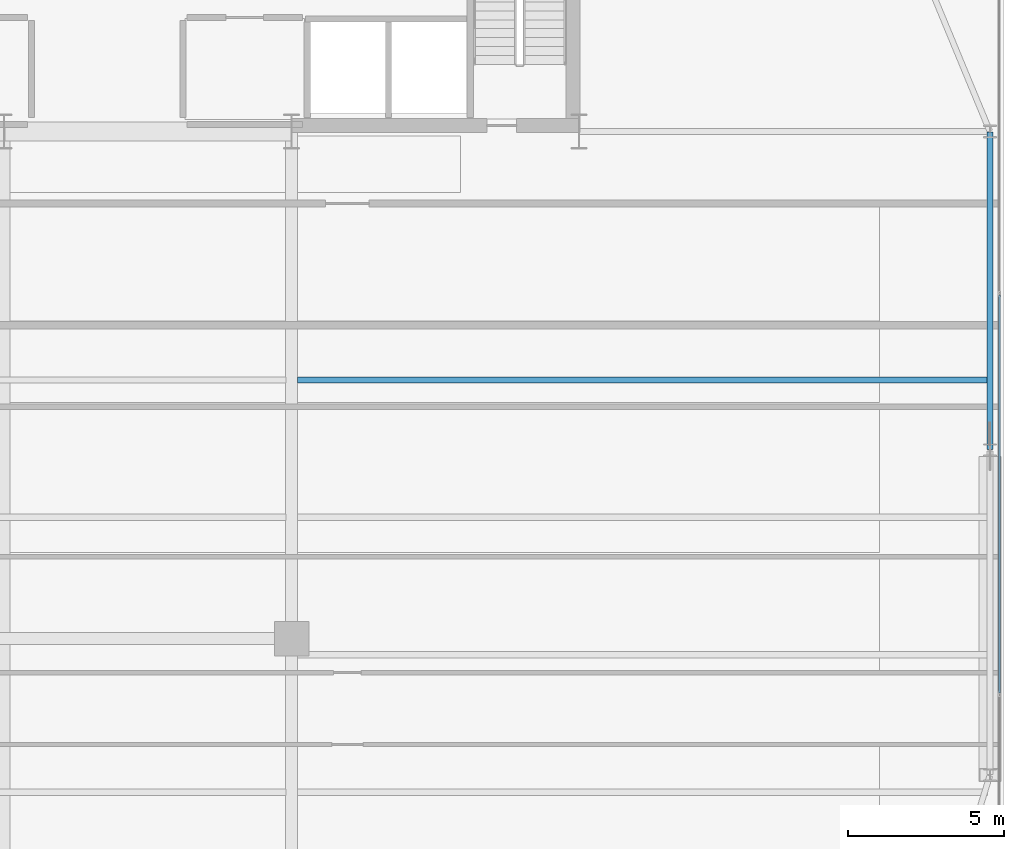
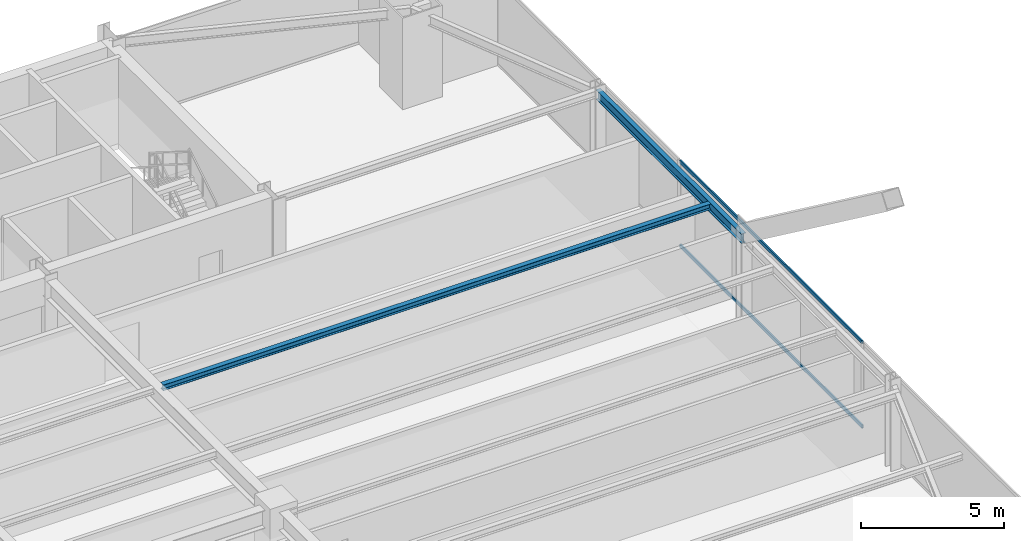
# One storey, part 19 of 35: 2 beams, 2 members, 1 element without a shape of its own.
"""IFC4 building model written with IfcOpenShell, lengths in metres."""

from ifc_helpers import new_model, si_unit, direction, frame, origin, origin_2d, place, context, subcontext, project, spatial, hollow_rectangle, i_section, extrude, source, transform, mapped, material, layer, layer_set, material_profile, profile_set, type_object, type_shapes, element, aggregate, save


model = new_model("IFC4")

# Units and contexts
model_context = context("Model", 3, precision=1e-05, world=origin(), true_north=direction((0.0, 1.0)))
body_context = subcontext(model_context, "Body", "Model", "MODEL_VIEW")
ifc_project = project(units=[si_unit("LENGTHUNIT", "METRE"), si_unit("AREAUNIT", "SQUARE_METRE"), si_unit("VOLUMEUNIT", "CUBIC_METRE"), si_unit("PLANEANGLEUNIT", "RADIAN"), si_unit("MASSUNIT", "GRAM", prefix="KILO")], contexts=[model_context])

# Site, building, storey
site_placement = place(None, origin())
site = spatial("IfcSite", under=ifc_project, at=site_placement, CompositionType="ELEMENT")
building_placement = place(site_placement, origin())
building = spatial("IfcBuilding", under=site, at=building_placement, Name="Varnel Quay Broadcast Tower", CompositionType="ELEMENT")
storey_placement = place(building_placement, frame((0.0, 0.0, 31.5)))
storey = spatial("IfcBuildingStorey", under=building, at=storey_placement, Name="L06", CompositionType="ELEMENT", Elevation=31.5)

# Beams
ifc_material_1 = material(Name="Structural Steel CSA G40.21 350W", Category="steel")
ifc_material_profile_1 = material_profile(ifc_material_1, i_section(OverallWidth=0.180908203125, OverallDepth=0.4169921875, WebThickness=0.010986328125, FlangeThickness=0.018310546875, FilletRadius=0.011962890625, at=origin_2d()), Name="W410X85")
ifc_profile_set_1 = profile_set([ifc_material_profile_1], Name="Structural Steel CSA G40.21 350W")
beam_type_1 = type_object("IfcBeamType", Name="Beam_W410X85", PredefinedType="SPANDREL", material=ifc_profile_set_1)
shared_shape_1 = source(origin(), body_context, "Body", "SweptSolid", [
    extrude(i_section(OverallWidth=0.180908203125, OverallDepth=0.4169921875, WebThickness=0.010986328125, FlangeThickness=0.018310546875, FilletRadius=0.011962890625, at=origin_2d()), origin(), (0.0, 0.0, 1.0), 10.16015625),
])
type_shapes(beam_type_1, [shared_shape_1])
beam_1_placement = place(storey_placement, frame((65.550048828125, 25.419921875, 3.44140625), z_axis=(0.0, 1.0, 0.0), x_axis=(-1.0, 0.0, 0.0)))
element("IfcBeam", 1, at=beam_1_placement, inside=storey, type_object=beam_type_1, Name="L06 East Spandrel TC-E2-TC-E3", PredefinedType="SPANDREL", context=body_context, shape_type="MappedRepresentation", body=[
    mapped(shared_shape_1, transform((0.0, 0.0, 0.0), x_axis=(1.0, 0.0, 0.0), y_axis=(0.0, 1.0, 0.0), z_axis=(0.0, 0.0, 1.0), scale=1.0)),
])
ifc_material_profile_2 = material_profile(ifc_material_1, i_section(OverallWidth=0.201904296875, OverallDepth=0.2470703125, WebThickness=0.00732421875, FlangeThickness=0.010986328125, FilletRadius=0.010986328125, at=origin_2d()), Name="W250X49")
ifc_profile_set_2 = profile_set([ifc_material_profile_2], Name="Structural Steel CSA G40.21 350W")
beam_type_2 = type_object("IfcBeamType", Name="Beam_W250X49", PredefinedType="JOIST", material=ifc_profile_set_2)
shared_shape_2 = source(origin(), body_context, "Body", "SweptSolid", [
    extrude(i_section(OverallWidth=0.201904296875, OverallDepth=0.2470703125, WebThickness=0.00732421875, FlangeThickness=0.010986328125, FilletRadius=0.010986328125, at=origin_2d()), origin(), (0.0, 0.0, 1.0), 22.0791015625),
])
type_shapes(beam_type_2, [shared_shape_2])
beam_2_placement = place(storey_placement, frame((43.385498046875, 27.64990234375, 3.526611328125), z_axis=(1.0, 0.0, 0.0), x_axis=(0.0, 1.0, 0.0)))
element("IfcBeam", 2, at=beam_2_placement, inside=storey, type_object=beam_type_2, Name="L06 East Floor Joist 6", PredefinedType="JOIST", context=body_context, shape_type="MappedRepresentation", body=[
    mapped(shared_shape_2, transform((0.0, 0.0, 0.0), x_axis=(1.0, 0.0, 0.0), y_axis=(0.0, 1.0, 0.0), z_axis=(0.0, 0.0, 1.0), scale=1.0)),
])

# Curtain wall, members
ifc_material_2 = material(Name="Anodised Bronze Aluminium 6063-T6", Category="aluminium")
ifc_layer = layer(ifc_material_2, 0.18994140625, Name="Anodised Bronze Aluminium 6063-T6")
ifc_layer_set = layer_set([ifc_layer], Name="Anodised Bronze Aluminium 6063-T6")
curtain_wall_type = type_object("IfcCurtainWallType", Name="CW_LowerTower", PredefinedType="NOTDEFINED", material=ifc_layer_set)
curtain_wall_placement = place(storey_placement, origin())
curtain_wall = element("IfcCurtainWall", 3, at=curtain_wall_placement, inside=storey, type_object=curtain_wall_type, Name="L06 East Unitised Curtain Wall", PredefinedType="NOTDEFINED")
ifc_material_profile_3 = material_profile(ifc_material_2, hollow_rectangle(XDim=0.06005859375, YDim=0.14501953125, WallThickness=0.00341796875, at=origin_2d()), Name="ALU60X145X3.5")
ifc_profile_set_3 = profile_set([ifc_material_profile_3], Name="Anodised Bronze Aluminium 6063-T6")
member_type = type_object("IfcMemberType", Name="Tran_CWS-02", PredefinedType="USERDEFINED", material=ifc_profile_set_3)
shared_shape_3 = source(origin(), body_context, "Body", "SweptSolid", [
    extrude(hollow_rectangle(XDim=0.06005859375, YDim=0.14501953125, WallThickness=0.00341796875, at=origin_2d()), origin(), (0.0, 0.0, 1.0), 12.72998046875),
])
type_shapes(member_type, [shared_shape_3])
member_1_placement = place(storey_placement, frame((65.85009765625, 17.635009765625, 0.030029296875), z_axis=(0.0, 1.0, 0.0), x_axis=(-1.0, 0.0, 0.0)))
member_1 = element("IfcMember", 4, at=member_1_placement, type_object=member_type, Name="CWS-02 transom 2.1", ObjectType="TRANSOM", PredefinedType="USERDEFINED", context=body_context, shape_type="MappedRepresentation", body=[
    mapped(shared_shape_3, transform((0.0, 0.0, 0.0), x_axis=(1.0, 0.0, 0.0), y_axis=(0.0, 1.0, 0.0), z_axis=(0.0, 0.0, 1.0), scale=1.0)),
])
member_2_placement = place(storey_placement, frame((65.85009765625, 17.635009765625, 3.6201171875), z_axis=(0.0, 1.0, 0.0), x_axis=(-1.0, 0.0, 0.0)))
member_2 = element("IfcMember", 5, at=member_2_placement, type_object=member_type, Name="CWS-02 transom 2.2", ObjectType="TRANSOM", PredefinedType="USERDEFINED", context=body_context, shape_type="MappedRepresentation", body=[
    mapped(shared_shape_3, transform((0.0, 0.0, 0.0), x_axis=(1.0, 0.0, 0.0), y_axis=(0.0, 1.0, 0.0), z_axis=(0.0, 0.0, 1.0), scale=1.0)),
])
aggregate(curtain_wall, [member_1, member_2])

save(model, "model.ifc")
